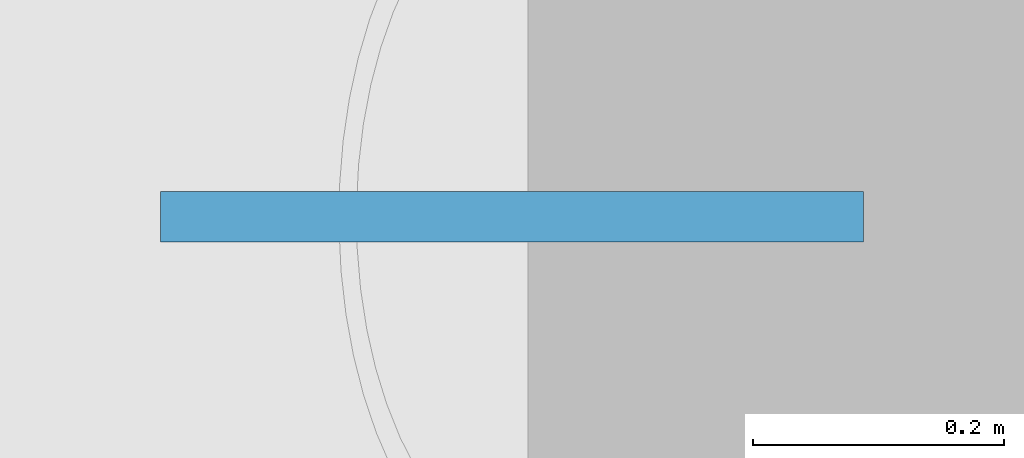
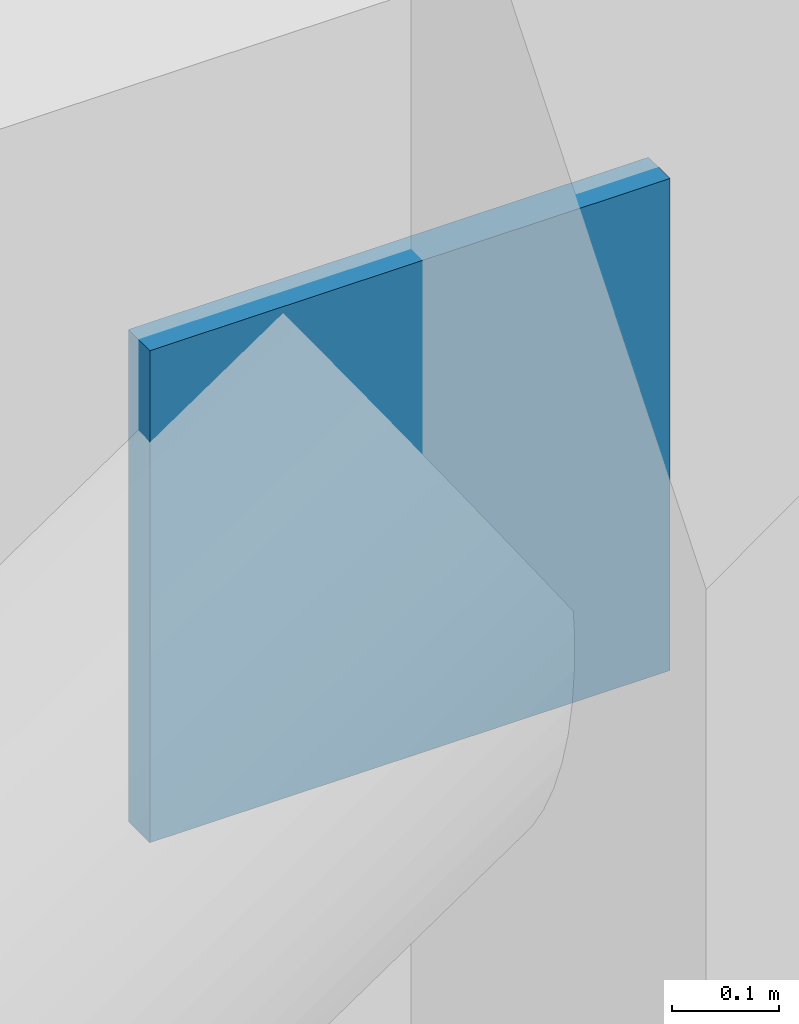
# One storey, part 9 of 16: 1 plate.
"""IFC4 building model written with IfcOpenShell, lengths in metres."""

from ifc_helpers import new_model, si_unit, direction, frame, origin, origin_2d, place, context, subcontext, project, spatial, rectangle, extrude, material, layer, layer_set, type_object, element, save


model = new_model("IFC4")

# Units and contexts
model_context = context("Model", 3, precision=1e-05, world=origin(), true_north=direction((0.0, 1.0)))
body_context = subcontext(model_context, "Body", "Model", "MODEL_VIEW")
ifc_project = project(units=[si_unit("LENGTHUNIT", "METRE"), si_unit("AREAUNIT", "SQUARE_METRE"), si_unit("VOLUMEUNIT", "CUBIC_METRE"), si_unit("PLANEANGLEUNIT", "RADIAN"), si_unit("MASSUNIT", "GRAM", prefix="KILO")], contexts=[model_context])

# Site, building, storey
site_placement = place(None, origin())
site = spatial("IfcSite", under=ifc_project, at=site_placement, CompositionType="ELEMENT")
building_placement = place(site_placement, origin())
building = spatial("IfcBuilding", under=site, at=building_placement, Name="Koriwani Terraces Tower", CompositionType="ELEMENT")
storey_placement = place(building_placement, frame((0.0, 0.0, 162.0)))
storey = spatial("IfcBuildingStorey", under=building, at=storey_placement, Name="L39", CompositionType="ELEMENT", Elevation=162.0)

# Plate
ifc_material = material(Name="Steel ASTM A572 Grade 50", Category="steel")
ifc_layer = layer(ifc_material, 0.0400390625, Name="Steel ASTM A572 Grade 50")
ifc_layer_set = layer_set([ifc_layer], Name="Steel ASTM A572 Grade 50")
plate_type = type_object("IfcPlateType", Name="STEEL_GUSSET_PLATE_40", PredefinedType="USERDEFINED", material=ifc_layer_set)
plate_placement = place(storey_placement, frame((66.636962890625, 0.0, 4.91748046875), z_axis=(0.0, 0.0, 1.0), x_axis=(1.0, 0.0, 0.0)))
element("IfcPlate", 1, at=plate_placement, inside=storey, type_object=plate_type, Name="Brace Node Gusset Plate BT-L39-BS4", ObjectType="GUSSET_PLATE", PredefinedType="USERDEFINED", context=body_context, shape_type="SweptSolid", body=[
    extrude(rectangle(XDim=0.56005859375, YDim=0.0400390625, at=origin_2d()), origin(), (0.0, 0.0, 1.0), 0.56005859375),
])

save(model, "model.ifc")
